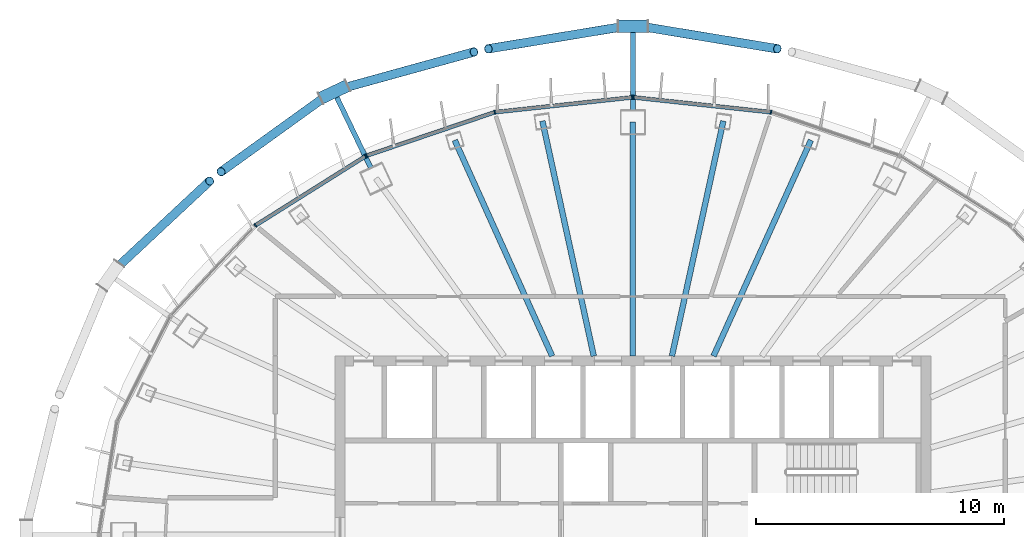
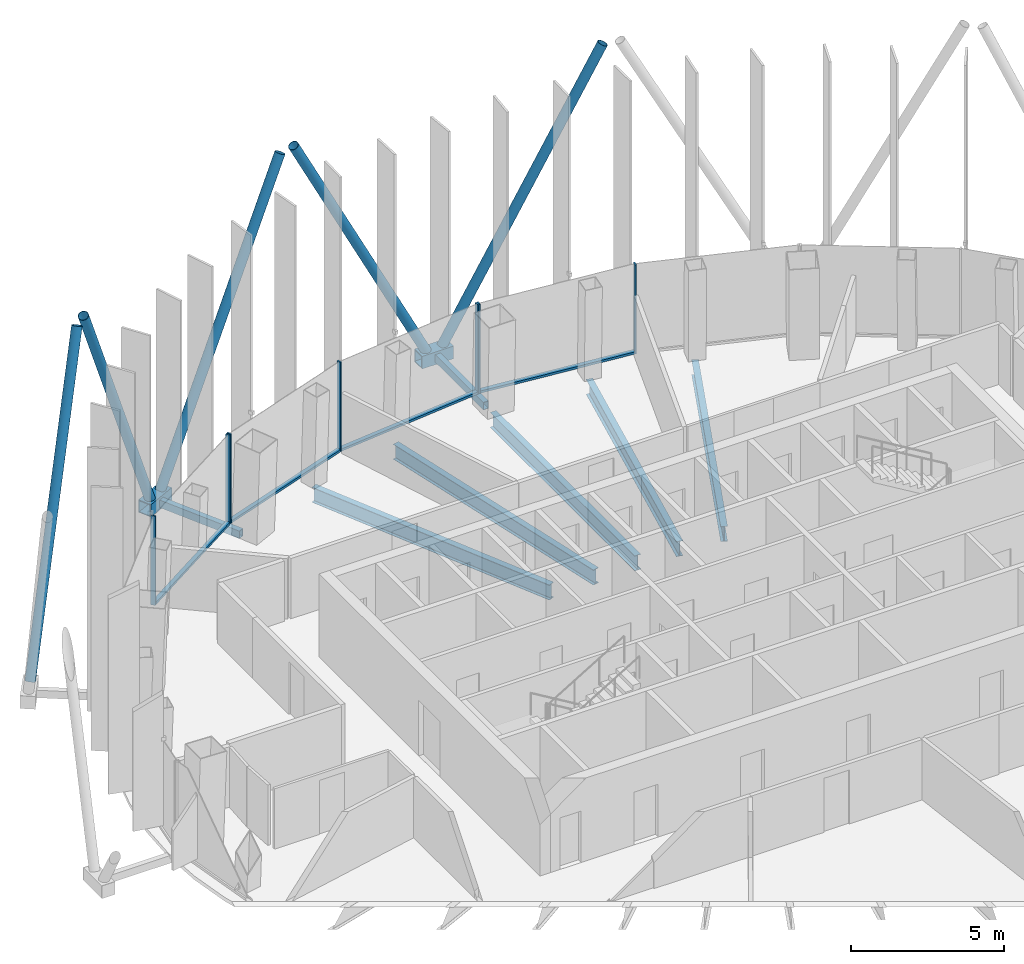
# One storey, part 7 of 20: 20 members, 5 beams, 3 elements without a shape of their own.
"""IFC4 building model written with IfcOpenShell, lengths in metres."""

import ifcopenshell
import ifcopenshell.guid

model = None  # the IFC model being written
_history = None  # IfcOwnerHistory: only IFC2X3 demands one
_inside = {}  # id of a spatial element -> (the spatial element, [elements in it])
_under = {}  # id of a project, library or spatial element -> (it, [spatial elements below it])
_declared = {}  # id of a project -> (the project, [libraries it declares])
_typed = {}  # id of a type object -> (the type object, [elements of that type])
_made_of = {}  # id of a material, layer set ... -> (it, [elements and type objects made of it])


def new_model(schema):
    """Start an empty IFC model of exactly this schema.

    Asked for "IFC4X3", IfcOpenShell would pick the latest addendum, in which some entities
    have other attributes; the version numbers below select the first issue.
    IFC2X3 requires an IfcOwnerHistory on every rooted entity: one is made here for all.
    """
    global model, _history
    if schema == "IFC4X3":
        model = ifcopenshell.file(schema_version=(4, 3, 0, 0))
    else:
        model = ifcopenshell.file(schema=schema)
    _inside.clear()
    _under.clear()
    _declared.clear()
    _typed.clear()
    _made_of.clear()
    _history = None
    if model.schema == "IFC2X3":
        org = make("IfcOrganization", Name="unknown")
        user = make(
            "IfcPersonAndOrganization",
            ThePerson=make("IfcPerson", FamilyName="unknown"),
            TheOrganization=org,
        )
        app = make(
            "IfcApplication",
            ApplicationDeveloper=org,
            Version="unknown",
            ApplicationFullName="unknown",
            ApplicationIdentifier="unknown",
        )
        _history = make(
            "IfcOwnerHistory",
            OwningUser=user,
            OwningApplication=app,
            ChangeAction="ADDED",
            CreationDate=0,
        )
    return model


def make(cls, **values):
    """One entity of the class cls with the attributes given. An attribute that is None is left unset."""
    return model.create_entity(
        cls, **{name: value for name, value in values.items() if value is not None}
    )


def rooted(cls, **values):
    """An entity with a GlobalId (a new one), such as an element, a storey or a relation."""
    return make(cls, GlobalId=ifcopenshell.guid.new(), OwnerHistory=_history, **values)


def si_unit(unit_type, name, prefix=None):
    """IfcSIUnit, for example si_unit("LENGTHUNIT", "METRE", prefix="MILLI")."""
    return make("IfcSIUnit", UnitType=unit_type, Prefix=prefix, Name=name)


def assignment(units):
    """IfcUnitAssignment: the units of a project."""
    return None if units is None else make("IfcUnitAssignment", Units=units)


def point(xyz):
    """IfcCartesianPoint."""
    return None if xyz is None else make("IfcCartesianPoint", Coordinates=xyz)


def direction(xyz):
    """IfcDirection."""
    return None if xyz is None else make("IfcDirection", DirectionRatios=xyz)


def frame(location, z_axis=None, x_axis=None):
    """IfcAxis2Placement3D, a coordinate frame: its origin and axes. An axis left out is left unset."""
    return make(
        "IfcAxis2Placement3D",
        Location=point(location),
        Axis=direction(z_axis),
        RefDirection=direction(x_axis),
    )


def frame_2d(location, x_axis=None):
    """IfcAxis2Placement2D, a coordinate frame in the plane: its origin and x axis."""
    return make(
        "IfcAxis2Placement2D", Location=point(location), RefDirection=direction(x_axis)
    )


def origin():
    """The frame at (0, 0, 0) with its axes left unset."""
    return frame((0.0, 0.0, 0.0))


def origin_2d():
    """The frame at (0, 0) in the plane with its x axis left unset."""
    return frame_2d((0.0, 0.0))


def place(relative_to, where):
    """IfcLocalPlacement: puts the frame where relative to a parent placement (None: the world)."""
    return make(
        "IfcLocalPlacement", PlacementRelTo=relative_to, RelativePlacement=where
    )


def context(
    kind, dimensions, precision=None, world=None, true_north=None, identifier=None
):
    """IfcGeometricRepresentationContext, for example the 3D "Model" context."""
    return make(
        "IfcGeometricRepresentationContext",
        ContextIdentifier=identifier,
        ContextType=kind,
        CoordinateSpaceDimension=dimensions,
        Precision=precision,
        WorldCoordinateSystem=world,
        TrueNorth=true_north,
    )


def subcontext(parent, identifier, kind, view, scale=None):
    """IfcGeometricRepresentationSubContext, for example "Body" below "Model"."""
    return make(
        "IfcGeometricRepresentationSubContext",
        ContextIdentifier=identifier,
        ContextType=kind,
        ParentContext=parent,
        TargetScale=scale,
        TargetView=view,
    )


def project(units=None, contexts=None):
    """IfcProject with its units and contexts."""
    return rooted(
        "IfcProject",
        Name="project",
        RepresentationContexts=contexts,
        UnitsInContext=assignment(units),
    )


def spatial(cls, under=None, at=None, **own):
    """A site, building, storey or space (cls), placed at a placement, below another one or the project."""
    s = rooted(cls, ObjectPlacement=at, **own)
    if under is not None:
        _under.setdefault(under.id(), (under, []))[1].append(s)
    return s


def profile(cls, at=None, kind="AREA", **sizes):
    """A parametric profile (cls). Its sizes go by their IFC names, for example OverallWidth=200.0."""
    return make(cls, ProfileType=kind, Position=at, **sizes)


def rectangle(**sizes):
    """IfcRectangleProfileDef."""
    return profile("IfcRectangleProfileDef", **sizes)


def hollow_rectangle(**sizes):
    """IfcRectangleHollowProfileDef."""
    return profile("IfcRectangleHollowProfileDef", **sizes)


def hollow_circle(**sizes):
    """IfcCircleHollowProfileDef."""
    return profile("IfcCircleHollowProfileDef", **sizes)


def i_section(**sizes):
    """IfcIShapeProfileDef."""
    return profile("IfcIShapeProfileDef", **sizes)


def extrude(swept, where, along, depth):
    """IfcExtrudedAreaSolid: the profile swept, set in the frame where, extruded along a direction by depth."""
    return make(
        "IfcExtrudedAreaSolid",
        SweptArea=swept,
        Position=where,
        ExtrudedDirection=direction(along),
        Depth=depth,
    )


def shape(context_of_items, identifier, shape_type, items):
    """IfcShapeRepresentation: the items that make up one representation, for example the "Body"."""
    return make(
        "IfcShapeRepresentation",
        ContextOfItems=context_of_items,
        RepresentationIdentifier=identifier,
        RepresentationType=shape_type,
        Items=items,
    )


def material(Name=None, Category=None):
    """IfcMaterial."""
    return make("IfcMaterial", Name=Name, Category=Category)


def layer(
    of_material, thickness, ventilated=None, Name=None, Category=None, Priority=None
):
    """IfcMaterialLayer: one layer of a wall or slab, of a material (None: an air gap)."""
    return make(
        "IfcMaterialLayer",
        Material=of_material,
        LayerThickness=thickness,
        IsVentilated=ventilated,
        Name=Name,
        Category=Category,
        Priority=Priority,
    )


def layer_set(layers, Name=None):
    """IfcMaterialLayerSet."""
    return make("IfcMaterialLayerSet", MaterialLayers=layers, LayerSetName=Name)


def material_profile(
    of_material, cross_section, Name=None, Category=None, Priority=None
):
    """IfcMaterialProfile: a cross section and its material."""
    return make(
        "IfcMaterialProfile",
        Name=Name,
        Material=of_material,
        Profile=cross_section,
        Priority=Priority,
        Category=Category,
    )


def profile_set(profiles, Name=None, composite=None):
    """IfcMaterialProfileSet."""
    return make(
        "IfcMaterialProfileSet",
        Name=Name,
        MaterialProfiles=profiles,
        CompositeProfile=composite,
    )


def made_of(thing, what):
    """Note that an element or type object is made of a material, layer set ...; save() writes the relation."""
    if what is not None:
        _made_of.setdefault(what.id(), (what, []))[1].append(thing)
    return thing


def type_object(cls, material=None, **own):
    """A type object (cls), such as IfcWallType, which elements share."""
    return made_of(rooted(cls, **own), material)


def element(
    cls,
    number,
    at=None,
    inside=None,
    cuts=None,
    type_object=None,
    material=None,
    context=None,
    identifier="Body",
    shape_type=None,
    held_by="IfcProductDefinitionShape",
    body=None,
    shapes=None,
    **own,
):
    """One element of the class cls, such as IfcWall. Its Tag is "e" and its number.

    at: its placement. inside: the storey or other place that contains it. cuts: it is an
    opening in that element (IfcRelVoidsElement). A single representation is given by context,
    identifier, shape_type and body (its items); several are given by shapes. held_by: the class
    of the entity that holds the representations. save() writes the other relations.
    """
    e = rooted(cls, Tag="e%d" % number, ObjectPlacement=at, **own)
    if body is not None:
        shapes = [shape(context, identifier, shape_type, body)]
    if shapes is not None:
        e.Representation = make(held_by, Representations=shapes)
    if inside is not None:
        _inside.setdefault(inside.id(), (inside, []))[1].append(e)
    if cuts is not None:
        rooted(
            "IfcRelVoidsElement", RelatingBuildingElement=cuts, RelatedOpeningElement=e
        )
    if type_object is not None:
        _typed.setdefault(type_object.id(), (type_object, []))[1].append(e)
    return made_of(e, material)


def aggregate(whole, parts):
    """IfcRelAggregates: a whole, such as a stair, and the parts it consists of."""
    return rooted("IfcRelAggregates", RelatingObject=whole, RelatedObjects=parts)


def save(model, path):
    """Write the relations noted so far, then the file.

    IfcRelAggregates (storeys below a building ...), IfcRelContainedInSpatialStructure (elements
    in a storey), IfcRelDefinesByType, IfcRelAssociatesMaterial and IfcRelDeclares: one each for
    every whole, place, type object, material and project.
    """
    for whole, parts in _under.values():
        aggregate(whole, parts)
    for where, things in _inside.values():
        rooted(
            "IfcRelContainedInSpatialStructure",
            RelatedElements=things,
            RelatingStructure=where,
        )
    for kind, things in _typed.values():
        rooted("IfcRelDefinesByType", RelatedObjects=things, RelatingType=kind)
    for what, things in _made_of.values():
        rooted("IfcRelAssociatesMaterial", RelatedObjects=things, RelatingMaterial=what)
    for by, libraries in _declared.values():
        rooted("IfcRelDeclares", RelatingContext=by, RelatedDefinitions=libraries)
    model.write(path)


model = new_model("IFC4")

# Units and contexts
model_context = context("Model", 3, precision=1e-05, world=origin(), true_north=direction((0.0, 1.0)))
body_context = subcontext(model_context, "Body", "Model", "MODEL_VIEW")
ifc_project = project(units=[si_unit("LENGTHUNIT", "METRE"), si_unit("AREAUNIT", "SQUARE_METRE"), si_unit("VOLUMEUNIT", "CUBIC_METRE"), si_unit("PLANEANGLEUNIT", "RADIAN"), si_unit("MASSUNIT", "GRAM", prefix="KILO")], contexts=[model_context])

# Site, building, storey
site_placement = place(None, origin())
site = spatial("IfcSite", under=ifc_project, at=site_placement, CompositionType="ELEMENT")
building_placement = place(site_placement, origin())
building = spatial("IfcBuilding", under=site, at=building_placement, Name="Siaravel Broadcast Tower", CompositionType="ELEMENT")
storey_placement = place(building_placement, frame((0.0, 0.0, 228.199951171875)))
storey = spatial("IfcBuildingStorey", under=building, at=storey_placement, Name="L55", CompositionType="ELEMENT", Elevation=228.199951171875)

# Beams
ifc_material_1 = material(Name="Steel S355", Category="steel")
ifc_material_profile_1 = material_profile(ifc_material_1, i_section(OverallWidth=0.2275390625, OverallDepth=0.6025390625, WebThickness=0.010498046875, FlangeThickness=0.014892578125, FilletRadius=0.0126953125, at=origin_2d()))
ifc_profile_set_1 = profile_set([ifc_material_profile_1], Name="Steel S355")
beam_type = type_object("IfcBeamType", Name="BM-UB 610x229x101", PredefinedType="BEAM", material=ifc_profile_set_1)
beam_1_placement = place(storey_placement, frame((7.17431640625, 15.89306640625, -0.451171875), z_axis=(-0.411446808, -0.911433774, 0.0), x_axis=(0.911433774, -0.411446808, 0.0)))
element("IfcBeam", 1, at=beam_1_placement, inside=storey, type_object=beam_type, Name="Radial beam RB08", PredefinedType="BEAM", context=body_context, shape_type="SweptSolid", body=[
    extrude(i_section(OverallWidth=0.2275390625, OverallDepth=0.6025390625, WebThickness=0.010498046875, FlangeThickness=0.014892578125, FilletRadius=0.0126953125, at=origin_2d()), origin(), (0.0, 0.0, 1.0), 9.537841796875),
])
beam_2_placement = place(storey_placement, frame((3.64404296875, 16.667724609375, -0.451171875), z_axis=(-0.213573666, -0.976926962, 0.0), x_axis=(0.976926962, -0.213573666, 0.0)))
element("IfcBeam", 2, at=beam_2_placement, inside=storey, type_object=beam_type, Name="Radial beam RB09", PredefinedType="BEAM", context=body_context, shape_type="SweptSolid", body=[
    extrude(i_section(OverallWidth=0.2275390625, OverallDepth=0.6025390625, WebThickness=0.010498046875, FlangeThickness=0.014892578125, FilletRadius=0.0126953125, at=origin_2d()), origin(), (0.0, 0.0, 1.0), 9.69140625),
])
beam_3_placement = place(storey_placement, frame((0.0, 16.62890625, -0.451171875), z_axis=(0.0, -1.0, 0.0), x_axis=(1.0, 0.0, 0.0)))
element("IfcBeam", 3, at=beam_3_placement, inside=storey, type_object=beam_type, Name="Radial beam RB10", PredefinedType="BEAM", context=body_context, shape_type="SweptSolid", body=[
    extrude(i_section(OverallWidth=0.2275390625, OverallDepth=0.6025390625, WebThickness=0.010498046875, FlangeThickness=0.014892578125, FilletRadius=0.0126953125, at=origin_2d()), origin(), (0.0, 0.0, 1.0), 9.428955078125),
])
beam_4_placement = place(storey_placement, frame((-3.64404296875, 16.667724609375, -0.451171875), z_axis=(0.213573666, -0.976926962, 0.0), x_axis=(0.976926962, 0.213573666, 0.0)))
element("IfcBeam", 4, at=beam_4_placement, inside=storey, type_object=beam_type, Name="Radial beam RB11", PredefinedType="BEAM", context=body_context, shape_type="SweptSolid", body=[
    extrude(i_section(OverallWidth=0.2275390625, OverallDepth=0.6025390625, WebThickness=0.010498046875, FlangeThickness=0.014892578125, FilletRadius=0.0126953125, at=origin_2d()), origin(), (0.0, 0.0, 1.0), 9.69140625),
])
beam_5_placement = place(storey_placement, frame((-7.17431640625, 15.89306640625, -0.451171875), z_axis=(0.411446808, -0.911433774, 0.0), x_axis=(0.911433774, 0.411446808, 0.0)))
element("IfcBeam", 5, at=beam_5_placement, inside=storey, type_object=beam_type, Name="Radial beam RB12", PredefinedType="BEAM", context=body_context, shape_type="SweptSolid", body=[
    extrude(i_section(OverallWidth=0.2275390625, OverallDepth=0.6025390625, WebThickness=0.010498046875, FlangeThickness=0.014892578125, FilletRadius=0.0126953125, at=origin_2d()), origin(), (0.0, 0.0, 1.0), 9.537841796875),
])

# Curtain wall, members
ifc_material_2 = material(Name="Aluminium 6063-T6", Category="aluminium")
ifc_layer = layer(ifc_material_2, 0.159912109375)
ifc_layer_set = layer_set([ifc_layer], Name="Aluminium 6063-T6")
curtain_wall_type = type_object("IfcCurtainWallType", Name="Unitised curtain wall, zone 4", PredefinedType="NOTDEFINED", material=ifc_layer_set)
curtain_wall_1_placement = place(storey_placement, origin())
curtain_wall_1 = element("IfcCurtainWall", 6, at=curtain_wall_1_placement, inside=storey, type_object=curtain_wall_type, Name="L55 Unitised curtain wall, zone 4 03", PredefinedType="NOTDEFINED")
ifc_material_profile_2 = material_profile(ifc_material_2, rectangle(XDim=0.159912109375, YDim=0.054931640625, at=origin_2d()))
ifc_profile_set_2 = profile_set([ifc_material_profile_2], Name="Aluminium 6063-T6")
member_type_1 = type_object("IfcMemberType", Name="CW-Z4 mullion", PredefinedType="MULLION", material=ifc_profile_set_2)
member_1_placement = place(storey_placement, frame((5.56298828125, 17.021728515625, 0.0), z_axis=(0.0, 0.0, 1.0), x_axis=(-0.215558569, -0.976490913, 0.0)))
member_1 = element("IfcMember", 7, at=member_1_placement, type_object=member_type_1, Name="CW-Z4 mullion 2", PredefinedType="MULLION", context=body_context, shape_type="SweptSolid", body=[
    extrude(rectangle(XDim=0.159912109375, YDim=0.054931640625, at=origin_2d()), origin(), (0.0, 0.0, 1.0), 3.550048828125),
])
member_2_placement = place(storey_placement, frame((0.02734375, 17.61865234375, 0.0), z_axis=(0.0, 0.0, 1.0), x_axis=(-0.107217743, -0.994235563, 0.0)))
member_2 = element("IfcMember", 8, at=member_2_placement, type_object=member_type_1, Name="CW-Z4 mullion 3", PredefinedType="MULLION", context=body_context, shape_type="SweptSolid", body=[
    extrude(rectangle(XDim=0.159912109375, YDim=0.054931640625, at=origin_2d()), origin(), (0.0, 0.0, 1.0), 3.550048828125),
])

curtain_wall_2_placement = place(storey_placement, origin())
curtain_wall_2 = element("IfcCurtainWall", 9, at=curtain_wall_2_placement, inside=storey, type_object=curtain_wall_type, Name="L55 Unitised curtain wall, zone 4 04", PredefinedType="NOTDEFINED")
member_3_placement = place(storey_placement, frame((-0.02734375, 17.61865234375, 0.0), z_axis=(0.0, 0.0, 1.0), x_axis=(0.107217743, -0.994235563, 0.0)))
member_3 = element("IfcMember", 10, at=member_3_placement, type_object=member_type_1, Name="CW-Z4 mullion 1", PredefinedType="MULLION", context=body_context, shape_type="SweptSolid", body=[
    extrude(rectangle(XDim=0.159912109375, YDim=0.054931640625, at=origin_2d()), origin(), (0.0, 0.0, 1.0), 3.550048828125),
])
member_4_placement = place(storey_placement, frame((-5.56298828125, 17.021728515625, 0.0), z_axis=(0.0, 0.0, 1.0), x_axis=(0.215558569, -0.976490913, 0.0)))
member_4 = element("IfcMember", 11, at=member_4_placement, type_object=member_type_1, Name="CW-Z4 mullion 2", PredefinedType="MULLION", context=body_context, shape_type="SweptSolid", body=[
    extrude(rectangle(XDim=0.159912109375, YDim=0.054931640625, at=origin_2d()), origin(), (0.0, 0.0, 1.0), 3.550048828125),
])
member_5_placement = place(storey_placement, frame((-10.72119140625, 15.271484375, 0.0), z_axis=(0.0, 0.0, 1.0), x_axis=(0.321301352, -0.946977002, 0.0)))
member_5 = element("IfcMember", 12, at=member_5_placement, type_object=member_type_1, Name="CW-Z4 mullion 3", PredefinedType="MULLION", context=body_context, shape_type="SweptSolid", body=[
    extrude(rectangle(XDim=0.159912109375, YDim=0.054931640625, at=origin_2d()), origin(), (0.0, 0.0, 1.0), 3.550048828125),
])

curtain_wall_3_placement = place(storey_placement, origin())
curtain_wall_3 = element("IfcCurtainWall", 13, at=curtain_wall_3_placement, inside=storey, type_object=curtain_wall_type, Name="L55 Unitised curtain wall, zone 4 05", PredefinedType="NOTDEFINED")
member_6_placement = place(storey_placement, frame((-10.770751953125, 15.248046875, 0.0), z_axis=(0.0, 0.0, 1.0), x_axis=(0.532150293, -0.846649907, 0.0)))
member_6 = element("IfcMember", 14, at=member_6_placement, type_object=member_type_1, Name="CW-Z4 mullion 1", PredefinedType="MULLION", context=body_context, shape_type="SweptSolid", body=[
    extrude(rectangle(XDim=0.159912109375, YDim=0.054931640625, at=origin_2d()), origin(), (0.0, 0.0, 1.0), 3.550048828125),
])
member_7_placement = place(storey_placement, frame((-15.200439453125, 12.463623046875, 0.0), z_axis=(0.0, 0.0, 1.0), x_axis=(0.636219746, -0.771507897, 0.0)))
member_7 = element("IfcMember", 15, at=member_7_placement, type_object=member_type_1, Name="CW-Z4 mullion 2", PredefinedType="MULLION", context=body_context, shape_type="SweptSolid", body=[
    extrude(rectangle(XDim=0.159912109375, YDim=0.054931640625, at=origin_2d()), origin(), (0.0, 0.0, 1.0), 3.550048828125),
])

# Member
ifc_material_profile_3 = material_profile(ifc_material_2, rectangle(XDim=0.159912109375, YDim=0.090087890625, at=origin_2d()))
ifc_profile_set_3 = profile_set([ifc_material_profile_3], Name="Aluminium 6063-T6")
member_type_2 = type_object("IfcMemberType", Name="CW-Z4 transom", PredefinedType="USERDEFINED", material=ifc_profile_set_3)
member_8_placement = place(storey_placement, frame((5.53564453125, 17.024658203125, 0.045166015625), z_axis=(-0.994235535, 0.107218006, 0.0), x_axis=(-0.107218006, -0.994235535, 0.0)))
member_8 = element("IfcMember", 16, at=member_8_placement, type_object=member_type_2, Name="CW-Z4 transom 2", ObjectType="TRANSOM", PredefinedType="USERDEFINED", context=body_context, shape_type="SweptSolid", body=[
    extrude(rectangle(XDim=0.159912109375, YDim=0.090087890625, at=origin_2d()), origin(), (0.0, 0.0, 1.0), 5.5126953125),
])

aggregate(curtain_wall_1, [member_1, member_2, member_8])

member_9_placement = place(storey_placement, frame((-0.0546875, 17.61572265625, 0.045166015625), z_axis=(-0.994235535, -0.107218006, 0.0), x_axis=(0.107218006, -0.994235535, 0.0)))
member_9 = element("IfcMember", 17, at=member_9_placement, type_object=member_type_2, Name="CW-Z4 transom 1", ObjectType="TRANSOM", PredefinedType="USERDEFINED", context=body_context, shape_type="SweptSolid", body=[
    extrude(rectangle(XDim=0.159912109375, YDim=0.090087890625, at=origin_2d()), origin(), (0.0, 0.0, 1.0), 5.5126953125),
])

member_10_placement = place(storey_placement, frame((-5.5888671875, 17.012939453125, 0.045166015625), z_axis=(-0.946971812, -0.321316645, 0.0), x_axis=(0.321316645, -0.946971812, 0.0)))
member_10 = element("IfcMember", 18, at=member_10_placement, type_object=member_type_2, Name="CW-Z4 transom 2", ObjectType="TRANSOM", PredefinedType="USERDEFINED", context=body_context, shape_type="SweptSolid", body=[
    extrude(rectangle(XDim=0.159912109375, YDim=0.090087890625, at=origin_2d()), origin(), (0.0, 0.0, 1.0), 5.392333984375),
])

aggregate(curtain_wall_2, [member_3, member_4, member_5, member_9, member_10])

member_11_placement = place(storey_placement, frame((-10.7939453125, 15.2333984375, 0.045166015625), z_axis=(-0.846644441, -0.53215899, 0.0), x_axis=(0.53215899, -0.846644441, 0.0)))
member_11 = element("IfcMember", 19, at=member_11_placement, type_object=member_type_2, Name="CW-Z4 transom 1", ObjectType="TRANSOM", PredefinedType="USERDEFINED", context=body_context, shape_type="SweptSolid", body=[
    extrude(rectangle(XDim=0.159912109375, YDim=0.090087890625, at=origin_2d()), origin(), (0.0, 0.0, 1.0), 5.17724609375),
])

aggregate(curtain_wall_3, [member_6, member_7, member_11])

# Members
ifc_material_3 = material(Name="Steel S460", Category="steel")
ifc_material_profile_4 = material_profile(ifc_material_3, hollow_circle(Radius=0.177734375, WallThickness=0.012451171875, at=origin_2d()))
ifc_profile_set_4 = profile_set([ifc_material_profile_4], Name="Steel S460")
member_type_3 = type_object("IfcMemberType", Name="Diagrid diagonal CHS 355.6x12.5", PredefinedType="BRACE", material=ifc_profile_set_4)
for number, where, z_axis, x_axis, name in (
    (20, (0.295654296875, 20.486328125, 0.02001953125), (0.458853879, -0.075627457, 0.885287301), (0.162624126, 0.986688093, 0.0), "Diagrid diagonal R23 station 18C"),
    (21, (-0.295654296875, 20.486328125, 0.02001953125), (-0.458853879, -0.075627457, 0.885287301), (0.162624126, -0.986688093, 0.0), "Diagrid diagonal R23 station 18A"),
):
    element("IfcMember", number, at=place(storey_placement, frame(where, z_axis=z_axis, x_axis=x_axis)), inside=storey, type_object=member_type_3, Name=name, PredefinedType="BRACE", context=body_context, shape_type="SweptSolid", body=[
        extrude(hollow_circle(Radius=0.177734375, WallThickness=0.012451171875, at=origin_2d()), origin(), (0.0, 0.0, 1.0), 12.041259765625),
    ])
member_12_placement = place(storey_placement, frame((-11.762451171875, 17.966796875, 0.02001953125), z_axis=(0.446084084, 0.123255802, 0.886463196), x_axis=(-0.266326799, 0.963882792, 0.0)))
element("IfcMember", 22, at=member_12_placement, inside=storey, type_object=member_type_3, Name="Diagrid diagonal R23 station 24C", PredefinedType="BRACE", context=body_context, shape_type="SweptSolid", body=[
    extrude(hollow_circle(Radius=0.177734375, WallThickness=0.012451171875, at=origin_2d()), origin(), (0.0, 0.0, 1.0), 12.025146484375),
])
member_13_placement = place(storey_placement, frame((-12.296875, 17.714111328125, 0.02001953125), z_axis=(-0.360588642, -0.259705891, 0.895839652), x_axis=(0.584426349, -0.811446759, 0.0)))
element("IfcMember", 23, at=member_13_placement, inside=storey, type_object=member_type_3, Name="Diagrid diagonal R23 station 24A", PredefinedType="BRACE", context=body_context, shape_type="SweptSolid", body=[
    extrude(hollow_circle(Radius=0.177734375, WallThickness=0.012451171875, at=origin_2d()), origin(), (0.0, 0.0, 1.0), 11.8994140625),
])
member_14_placement = place(storey_placement, frame((-20.865478515625, 10.6826171875, 0.02001953125), z_axis=(0.321787959, 0.300401234, 0.897892871), x_axis=(-0.682398137, 0.730980699, 0.0)))
element("IfcMember", 24, at=member_14_placement, inside=storey, type_object=member_type_3, Name="Diagrid diagonal R23 station 30C", PredefinedType="BRACE", context=body_context, shape_type="SweptSolid", body=[
    extrude(hollow_circle(Radius=0.177734375, WallThickness=0.012451171875, at=origin_2d()), origin(), (0.0, 0.0, 1.0), 11.8720703125),
])
ifc_material_profile_5 = material_profile(ifc_material_3, hollow_rectangle(XDim=0.5, YDim=0.5, WallThickness=0.031982421875, at=origin_2d()))
ifc_profile_set_5 = profile_set([ifc_material_profile_5], Name="Steel S460")
member_type_4 = type_object("IfcMemberType", Name="Diagrid node BOX 500x500x32", PredefinedType="USERDEFINED", material=ifc_profile_set_5)
member_15_placement = place(storey_placement, frame((0.593505859375, 20.486328125, -0.199951171875), z_axis=(-1.0, 0.0, 0.0), x_axis=(0.0, -1.0, 0.0)))
element("IfcMember", 25, at=member_15_placement, inside=storey, type_object=member_type_4, Name="Diagrid node R23 station 18", ObjectType="DIAGRID NODE", PredefinedType="USERDEFINED", context=body_context, shape_type="SweptSolid", body=[
    extrude(hollow_rectangle(XDim=0.5, YDim=0.5, WallThickness=0.031982421875, at=origin_2d()), origin(), (0.0, 0.0, 1.0), 1.18701171875),
])
member_16_placement = place(storey_placement, frame((-11.4931640625, 18.093994140625, -0.199951171875), z_axis=(-0.904005771, -0.427520253, 0.0), x_axis=(0.427520253, -0.904005771, 0.0)))
element("IfcMember", 26, at=member_16_placement, inside=storey, type_object=member_type_4, Name="Diagrid node R23 station 24", ObjectType="DIAGRID NODE", PredefinedType="USERDEFINED", context=body_context, shape_type="SweptSolid", body=[
    extrude(hollow_rectangle(XDim=0.5, YDim=0.5, WallThickness=0.031982421875, at=origin_2d()), origin(), (0.0, 0.0, 1.0), 1.186767578125),
])
ifc_material_profile_6 = material_profile(ifc_material_3, hollow_rectangle(XDim=0.199951171875, YDim=0.300048828125, WallThickness=0.012451171875, at=origin_2d()))
ifc_profile_set_6 = profile_set([ifc_material_profile_6], Name="Steel S460")
member_type_5 = type_object("IfcMemberType", Name="Diagrid node arm RHS 300x200x12.5", PredefinedType="STRUT", material=ifc_profile_set_6)
member_17_placement = place(storey_placement, frame((0.0, 17.09912109375, -0.199951171875), z_axis=(0.0, 1.0, 0.0), x_axis=(-1.0, 0.0, 0.0)))
element("IfcMember", 27, at=member_17_placement, inside=storey, type_object=member_type_5, Name="Node arm R23 station 18", PredefinedType="STRUT", context=body_context, shape_type="SweptSolid", body=[
    extrude(hollow_rectangle(XDim=0.199951171875, YDim=0.300048828125, WallThickness=0.012451171875, at=origin_2d()), origin(), (0.0, 0.0, 1.0), 3.167236328125),
])
member_18_placement = place(storey_placement, frame((-10.555908203125, 14.78271484375, -0.199951171875), z_axis=(-0.434183283, 0.900824554, 0.0), x_axis=(-0.900824554, -0.434183283, 0.0)))
element("IfcMember", 28, at=member_18_placement, inside=storey, type_object=member_type_5, Name="Node arm R23 station 24", PredefinedType="STRUT", context=body_context, shape_type="SweptSolid", body=[
    extrude(hollow_rectangle(XDim=0.199951171875, YDim=0.300048828125, WallThickness=0.012451171875, at=origin_2d()), origin(), (0.0, 0.0, 1.0), 3.174072265625),
])

save(model, "model.ifc")
